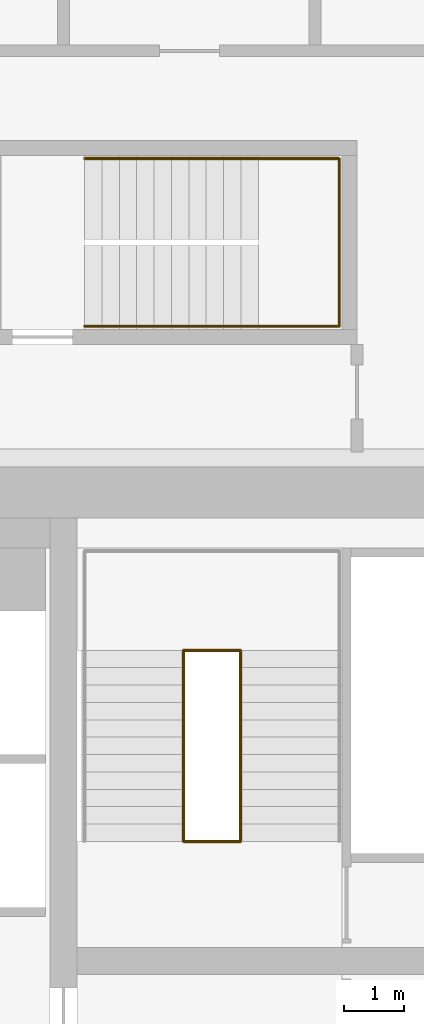
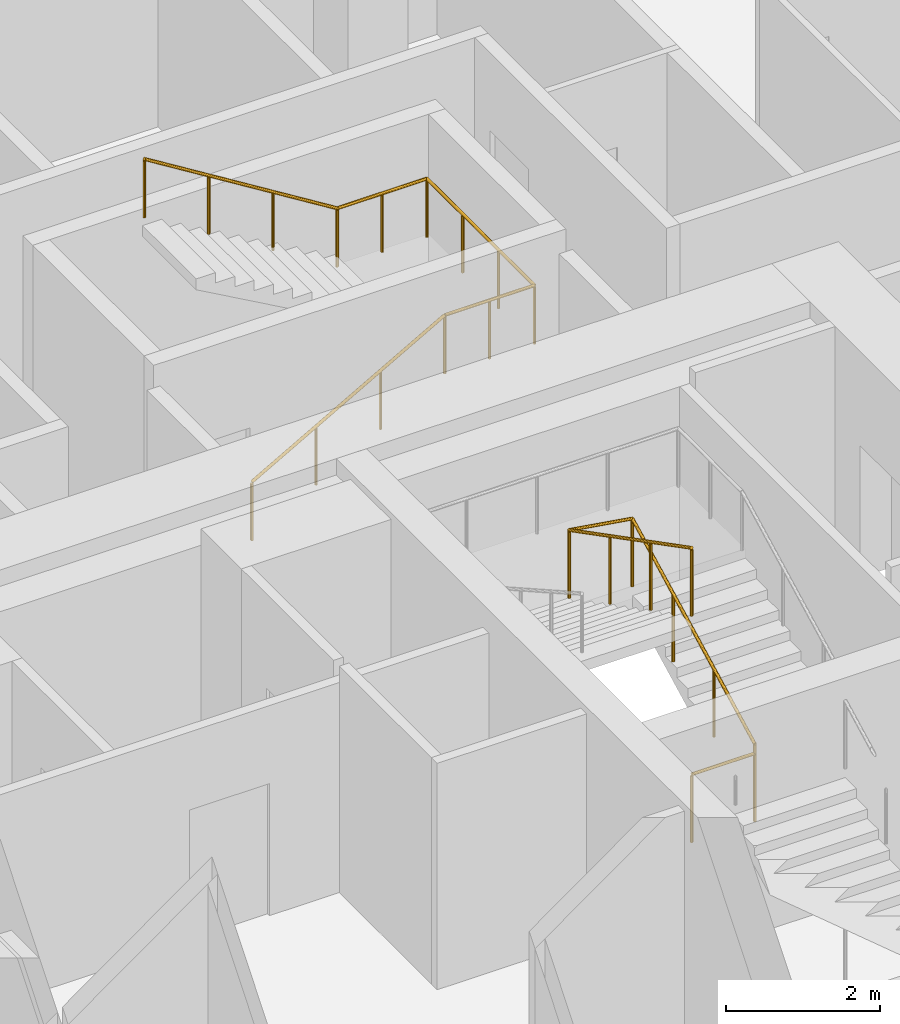
# One storey, part 23 of 23: 2 railings.
"""IFC4 building model written with IfcOpenShell, lengths in metres."""

from ifc_helpers import new_model, si_unit, direction, frame, origin, origin_2d, place, context, subcontext, project, spatial, circle, extrude, material, type_object, element, save


model = new_model("IFC4")

# Units and contexts
model_context = context("Model", 3, precision=1e-05, world=origin(), true_north=direction((0.0, 1.0)))
body_context = subcontext(model_context, "Body", "Model", "MODEL_VIEW")
ifc_project = project(units=[si_unit("LENGTHUNIT", "METRE"), si_unit("AREAUNIT", "SQUARE_METRE"), si_unit("VOLUMEUNIT", "CUBIC_METRE"), si_unit("PLANEANGLEUNIT", "RADIAN"), si_unit("MASSUNIT", "GRAM", prefix="KILO")], contexts=[model_context])

# Site, building, storey
site_placement = place(None, origin())
site = spatial("IfcSite", under=ifc_project, at=site_placement, CompositionType="ELEMENT")
building_placement = place(site_placement, origin())
building = spatial("IfcBuilding", under=site, at=building_placement, Name="Marenta Gate Hotel Tower", CompositionType="ELEMENT")
storey_placement = place(building_placement, frame((0.0, 0.0, 119.300048828125)))
storey = spatial("IfcBuildingStorey", under=building, at=storey_placement, Name="L26", CompositionType="ELEMENT", Elevation=119.300048828125)

# Railings
ifc_material_1 = material(Name="Stainless steel", Category="steel")
railing_type_1 = type_object("IfcRailingType", Name="Core stair handrail 950", PredefinedType="HANDRAIL", material=ifc_material_1)
railing_1_placement = place(storey_placement, frame((4.550048828125, 19.0, 0.16357421875)))
element("IfcRailing", 1, at=railing_1_placement, inside=storey, type_object=railing_type_1, Name="HR-950 L26-RS-Z2-4-KR-1", PredefinedType="HANDRAIL", context=body_context, shape_type="SweptSolid", body=[
    extrude(circle(Radius=0.02392578125, at=origin_2d()), frame((0.0, 0.0, 0.92578125), z_axis=(0.870897200241, 0.0, 0.491465224214), x_axis=(0.0, 1.0, 0.0)), (0.0, 0.0, 1.0), 3.329833984375),
    extrude(circle(Radius=0.02392578125, at=origin_2d()), frame((2.89990234375, 0.0, 2.5625), z_axis=(1.0, 0.0, 0.0), x_axis=(0.0, 1.0, 0.0)), (0.0, 0.0, 1.0), 1.35009765625),
    extrude(circle(Radius=0.02392578125, at=origin_2d()), frame((4.25, 0.0, 2.5625), z_axis=(0.0, 1.0, 0.0), x_axis=(-1.0, 0.0, 0.0)), (0.0, 0.0, 1.0), 2.800048828125),
    extrude(circle(Radius=0.02392578125, at=origin_2d()), frame((4.25, 2.800048828125, 2.5625), z_axis=(-1.0, 0.0, 0.0), x_axis=(0.0, -1.0, 0.0)), (0.0, 0.0, 1.0), 1.35009765625),
    extrude(circle(Radius=0.02392578125, at=origin_2d()), frame((2.89990234375, 2.800048828125, 2.5625), z_axis=(-0.849657849183, 0.0, 0.527334371458), x_axis=(0.0, -1.0, 0.0)), (0.0, 0.0, 1.0), 3.4130859375),
    extrude(circle(Radius=0.02099609375, at=origin_2d()), origin(), (0.0, 0.0, 1.0), 0.90185546875),
    extrude(circle(Radius=0.02099609375, at=origin_2d()), frame((0.966552734375, 0.0, 0.54541015625)), (0.0, 0.0, 1.0), 0.90185546875),
    extrude(circle(Radius=0.02099609375, at=origin_2d()), frame((1.933349609375, 0.0, 1.091064453125)), (0.0, 0.0, 1.0), 0.90185546875),
    extrude(circle(Radius=0.02099609375, at=origin_2d()), frame((2.89990234375, 0.0, 1.636474609375)), (0.0, 0.0, 1.0), 0.90185546875),
    extrude(circle(Radius=0.02099609375, at=origin_2d()), frame((3.574951171875, 0.0, 1.636474609375)), (0.0, 0.0, 1.0), 0.90185546875),
    extrude(circle(Radius=0.02099609375, at=origin_2d()), frame((4.25, 0.0, 1.636474609375)), (0.0, 0.0, 1.0), 0.90185546875),
    extrude(circle(Radius=0.02099609375, at=origin_2d()), frame((4.25, 0.933349609375, 1.636474609375)), (0.0, 0.0, 1.0), 0.90185546875),
    extrude(circle(Radius=0.02099609375, at=origin_2d()), frame((4.25, 1.86669921875, 1.636474609375)), (0.0, 0.0, 1.0), 0.90185546875),
    extrude(circle(Radius=0.02099609375, at=origin_2d()), frame((4.25, 2.800048828125, 1.636474609375)), (0.0, 0.0, 1.0), 0.90185546875),
    extrude(circle(Radius=0.02099609375, at=origin_2d()), frame((3.574951171875, 2.800048828125, 1.636474609375)), (0.0, 0.0, 1.0), 0.90185546875),
    extrude(circle(Radius=0.02099609375, at=origin_2d()), frame((2.89990234375, 2.800048828125, 1.636474609375)), (0.0, 0.0, 1.0), 0.90185546875),
    extrude(circle(Radius=0.02099609375, at=origin_2d()), frame((1.933349609375, 2.800048828125, 2.236328125)), (0.0, 0.0, 1.0), 0.90185546875),
    extrude(circle(Radius=0.02099609375, at=origin_2d()), frame((0.966552734375, 2.800048828125, 2.83642578125)), (0.0, 0.0, 1.0), 0.90185546875),
    extrude(circle(Radius=0.02099609375, at=origin_2d()), frame((0.0, 2.800048828125, 3.436279296875)), (0.0, 0.0, 1.0), 0.90185546875),
])
ifc_material_2 = material(Name="Stainless steel", Category="steel")
railing_type_2 = type_object("IfcRailingType", Name="Core stair well guard 1100", PredefinedType="GUARDRAIL", material=ifc_material_2)
railing_2_placement = place(storey_placement, frame((6.199951171875, 10.39990234375, 0.0)))
element("IfcRailing", 2, at=railing_2_placement, inside=storey, type_object=railing_type_2, Name="GR-1100 L26-KR-ST4-2", PredefinedType="GUARDRAIL", context=body_context, shape_type="SweptSolid", body=[
    extrude(circle(Radius=0.02392578125, at=origin_2d()), frame((0.0, 0.0, 1.076171875), z_axis=(1.0, 0.0, 0.0), x_axis=(0.0, 1.0, 0.0)), (0.0, 0.0, 1.0), 0.949951171875),
    extrude(circle(Radius=0.02392578125, at=origin_2d()), frame((0.949951171875, 0.0, 1.076171875), z_axis=(0.0, 0.0, 1.0), x_axis=(1.0, 0.0, 0.0)), (0.0, 0.0, 1.0), 0.14990234375),
    extrude(circle(Radius=0.02392578125, at=origin_2d()), frame((0.949951171875, 0.0, 1.22607421875), z_axis=(0.0, 0.888211904222, 0.459434013977), x_axis=(-1.0, 0.0, 0.0)), (0.0, 0.0, 1.0), 3.591796875),
    extrude(circle(Radius=0.02392578125, at=origin_2d()), frame((0.949951171875, 3.190185546875, 2.8759765625), z_axis=(-0.987777369502, 0.0, 0.15587131968), x_axis=(0.0, -1.0, 0.0)), (0.0, 0.0, 1.0), 0.961669921875),
    extrude(circle(Radius=0.02392578125, at=origin_2d()), frame((0.0, 3.190185546875, 3.02587890625), z_axis=(0.0, -0.888239641807, 0.459380385653), x_axis=(1.0, 0.0, 0.0)), (0.0, 0.0, 1.0), 3.591552734375),
    extrude(circle(Radius=0.02099609375, at=origin_2d()), origin(), (0.0, 0.0, 1.0), 1.052001953125),
    extrude(circle(Radius=0.02099609375, at=origin_2d()), frame((0.949951171875, 0.0, 0.0)), (0.0, 0.0, 1.0), 1.052001953125),
    extrude(circle(Radius=0.02099609375, at=origin_2d()), frame((0.949951171875, 0.0, 0.14990234375)), (0.0, 0.0, 1.0), 1.052001953125),
    extrude(circle(Radius=0.02099609375, at=origin_2d()), frame((0.949951171875, 1.0634765625, 0.699951171875)), (0.0, 0.0, 1.0), 1.052001953125),
    extrude(circle(Radius=0.02099609375, at=origin_2d()), frame((0.949951171875, 2.126708984375, 1.25)), (0.0, 0.0, 1.0), 1.052001953125),
    extrude(circle(Radius=0.02099609375, at=origin_2d()), frame((0.949951171875, 3.190185546875, 1.800048828125)), (0.0, 0.0, 1.0), 1.052001953125),
    extrude(circle(Radius=0.02099609375, at=origin_2d()), frame((0.0, 3.190185546875, 1.949951171875)), (0.0, 0.0, 1.0), 1.052001953125),
    extrude(circle(Radius=0.02099609375, at=origin_2d()), frame((0.0, 2.126708984375, 2.5)), (0.0, 0.0, 1.0), 1.052001953125),
    extrude(circle(Radius=0.02099609375, at=origin_2d()), frame((0.0, 1.0634765625, 3.0498046875)), (0.0, 0.0, 1.0), 1.052001953125),
    extrude(circle(Radius=0.02099609375, at=origin_2d()), frame((0.0, 0.0, 3.599853515625)), (0.0, 0.0, 1.0), 1.052001953125),
])

save(model, "model.ifc")
